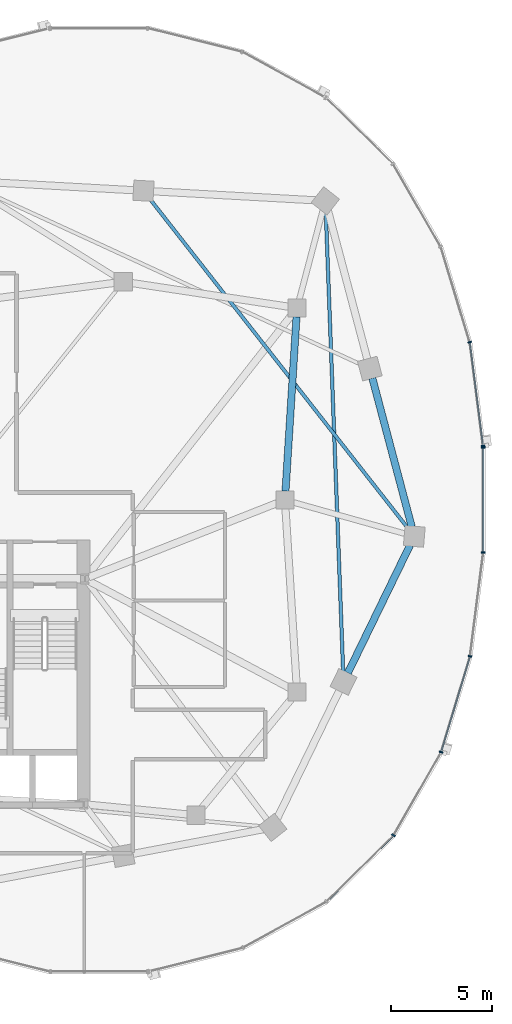
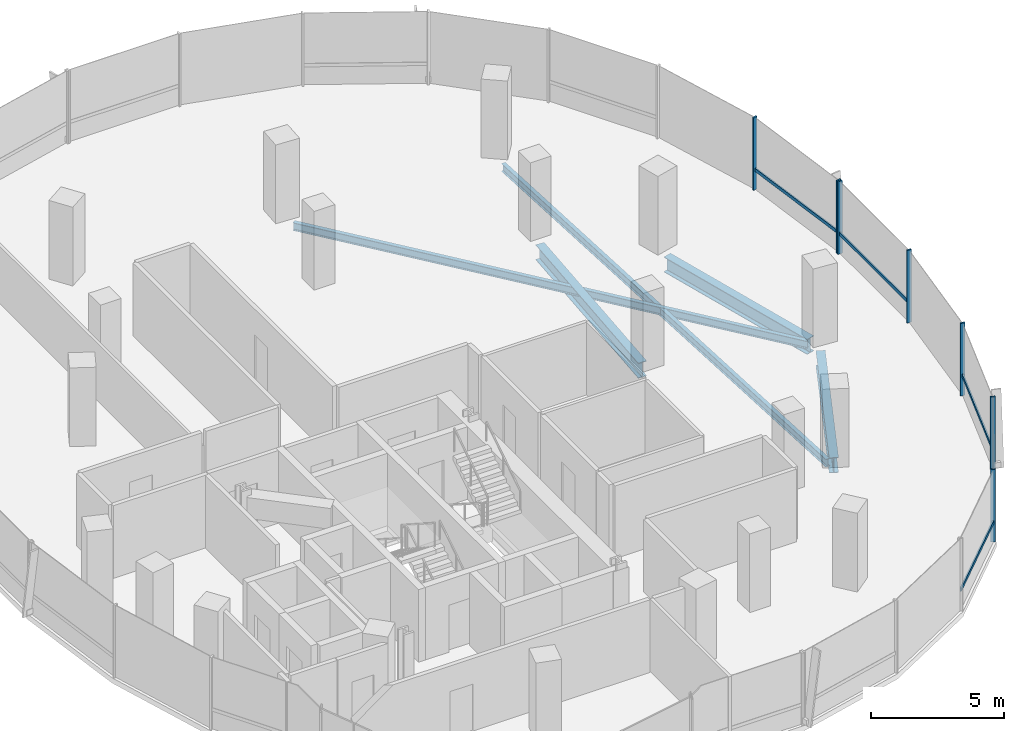
# One storey, part 8 of 21: 11 members, 5 beams, 2 elements without a shape of their own.
"""IFC4 building model written with IfcOpenShell, lengths in metres."""

from ifc_helpers import new_model, si_unit, direction, frame, origin, origin_2d, place, context, subcontext, project, spatial, rectangle, i_section, extrude, material, material_profile, profile_set, type_object, element, aggregate, save


model = new_model("IFC4")

# Units and contexts
model_context = context("Model", 3, precision=1e-05, world=origin(), true_north=direction((0.0, 1.0)))
body_context = subcontext(model_context, "Body", "Model", "MODEL_VIEW")
ifc_project = project(units=[si_unit("LENGTHUNIT", "METRE"), si_unit("AREAUNIT", "SQUARE_METRE"), si_unit("VOLUMEUNIT", "CUBIC_METRE"), si_unit("PLANEANGLEUNIT", "RADIAN"), si_unit("MASSUNIT", "GRAM", prefix="KILO"), si_unit("THERMODYNAMICTEMPERATUREUNIT", "KELVIN"), si_unit("POWERUNIT", "WATT")], contexts=[model_context])

# Site, building, storey
site_placement = place(None, origin())
site = spatial("IfcSite", under=ifc_project, at=site_placement, CompositionType="ELEMENT")
building_placement = place(site_placement, origin())
building = spatial("IfcBuilding", under=site, at=building_placement, Name="Cundina Bronze Exchange", CompositionType="ELEMENT")
storey_placement = place(building_placement, frame((0.0, 0.0, 183.60009765625)))
storey = spatial("IfcBuildingStorey", under=building, at=storey_placement, Name="L48", CompositionType="ELEMENT", Elevation=183.60009765625)

# Beams
ifc_material_1 = material(Name="Steel ASTM A992 Grade 50", Category="steel")
ifc_material_profile_1 = material_profile(ifc_material_1, i_section(OverallWidth=0.172119140625, OverallDepth=0.35791015625, WebThickness=0.0078125, FlangeThickness=0.01318359375, FilletRadius=0.010009765625, at=origin_2d()), Name="W14X38", Category="steel")
ifc_profile_set_1 = profile_set([ifc_material_profile_1], Name="Steel ASTM A992 Grade 50")
beam_type_1 = type_object("IfcBeamType", Name="BM-JST-W14", PredefinedType="JOIST", material=ifc_profile_set_1)
beam_1_placement = place(storey_placement, frame((44.08154296875, -8.51220703125, -0.419189453125), z_axis=(-0.037784933381, 0.999285894431, 0.0), x_axis=(-0.999285894431, -0.037784933381, 0.0)))
element("IfcBeam", 1, at=beam_1_placement, inside=storey, type_object=beam_type_1, Name="L48 Leg E Lobe Floor Joist 07-10", PredefinedType="JOIST", context=body_context, shape_type="SweptSolid", body=[
    extrude(i_section(OverallWidth=0.172119140625, OverallDepth=0.35791015625, WebThickness=0.0078125, FlangeThickness=0.01318359375, FilletRadius=0.010009765625, at=origin_2d()), origin(), (0.0, 0.0, 1.0), 22.8408203125),
])
beam_2_placement = place(storey_placement, frame((47.299072265625, -1.416015625, -0.419189453125), z_axis=(-0.616801484103, 0.787118751656, 0.0), x_axis=(-0.787118751656, -0.616801484103, 0.0)))
element("IfcBeam", 2, at=beam_2_placement, inside=storey, type_object=beam_type_1, Name="L48 Leg E Lobe Floor Joist 08-11", PredefinedType="JOIST", context=body_context, shape_type="SweptSolid", body=[
    extrude(i_section(OverallWidth=0.172119140625, OverallDepth=0.35791015625, WebThickness=0.0078125, FlangeThickness=0.01318359375, FilletRadius=0.010009765625, at=origin_2d()), origin(), (0.0, 0.0, 1.0), 20.7490234375),
])
ifc_material_profile_2 = material_profile(ifc_material_1, i_section(OverallWidth=0.35498046875, OverallDepth=0.695068359375, WebThickness=0.015380859375, FlangeThickness=0.02490234375, FilletRadius=0.01806640625, at=origin_2d()), Name="W27X146", Category="steel")
ifc_profile_set_2 = profile_set([ifc_material_profile_2], Name="Steel ASTM A992 Grade 50")
beam_type_2 = type_object("IfcBeamType", Name="BM-RING-W27", PredefinedType="USERDEFINED", material=ifc_profile_set_2)
beam_3_placement = place(storey_placement, frame((41.2275390625, 0.43701171875, -0.587646484375), z_axis=(0.063046519736, 0.998010589297, 0.0), x_axis=(-0.998010589297, 0.063046519736, 0.0)))
element("IfcBeam", 3, at=beam_3_placement, inside=storey, type_object=beam_type_2, Name="L48 E Inner Structural Ring Girder 04", ObjectType="GIRDER", PredefinedType="USERDEFINED", context=body_context, shape_type="SweptSolid", body=[
    extrude(i_section(OverallWidth=0.35498046875, OverallDepth=0.695068359375, WebThickness=0.015380859375, FlangeThickness=0.02490234375, FilletRadius=0.01806640625, at=origin_2d()), origin(), (0.0, 0.0, 1.0), 8.64306640625),
])
beam_4_placement = place(storey_placement, frame((44.3134765625, -8.56103515625, -0.587646484375), z_axis=(0.437196998825, 0.89936576776, 0.0), x_axis=(-0.89936576776, 0.437196998825, 0.0)))
element("IfcBeam", 4, at=beam_4_placement, inside=storey, type_object=beam_type_2, Name="L48 E Perimeter Ring Girder 07", ObjectType="GIRDER", PredefinedType="USERDEFINED", context=body_context, shape_type="SweptSolid", body=[
    extrude(i_section(OverallWidth=0.35498046875, OverallDepth=0.695068359375, WebThickness=0.015380859375, FlangeThickness=0.02490234375, FilletRadius=0.01806640625, at=origin_2d()), origin(), (0.0, 0.0, 1.0), 7.029541015625),
])
beam_5_placement = place(storey_placement, frame((47.47509765625, -1.328369140625, -0.587646484375), z_axis=(-0.256240814108, 0.966612975904, 0.0), x_axis=(-0.966612975904, -0.256240814108, 0.0)))
element("IfcBeam", 5, at=beam_5_placement, inside=storey, type_object=beam_type_2, Name="L48 E Perimeter Ring Girder 08", ObjectType="GIRDER", PredefinedType="USERDEFINED", context=body_context, shape_type="SweptSolid", body=[
    extrude(i_section(OverallWidth=0.35498046875, OverallDepth=0.695068359375, WebThickness=0.015380859375, FlangeThickness=0.02490234375, FilletRadius=0.01806640625, at=origin_2d()), origin(), (0.0, 0.0, 1.0), 7.61083984375),
])

# Curtain wall, members
ifc_material_2 = material(Name="Anodised Bronze Aluminium 6063-T6", Category="aluminium")
curtain_wall_type = type_object("IfcCurtainWallType", Name="CWS-WST-PIN", PredefinedType="NOTDEFINED", material=ifc_material_2)
curtain_wall_1_placement = place(storey_placement, origin())
curtain_wall_1 = element("IfcCurtainWall", 6, at=curtain_wall_1_placement, inside=storey, type_object=curtain_wall_type, Name="L48 CW-04 Curtain Wall Run CWR-L48-E1", PredefinedType="NOTDEFINED")
ifc_material_profile_3 = material_profile(ifc_material_2, rectangle(XDim=0.070068359375, YDim=0.18994140625, at=origin_2d()), Name="AL70X190", Category="aluminium")
ifc_profile_set_3 = profile_set([ifc_material_profile_3], Name="Anodised Bronze Aluminium 6063-T6")
member_type_1 = type_object("IfcMemberType", Name="CWM-MUL-190", PredefinedType="MULLION", material=ifc_profile_set_3)
member_1_placement = place(storey_placement, frame((51.001708984375, 2.676025390625, 0.0), z_axis=(0.0, 0.0, 1.0), x_axis=(-0.126545236492, 0.991960837494, 0.0)))
member_1 = element("IfcMember", 7, at=member_1_placement, type_object=member_type_1, Name="CW-04 Mullion 1", PredefinedType="MULLION", context=body_context, shape_type="SweptSolid", body=[
    extrude(rectangle(XDim=0.070068359375, YDim=0.18994140625, at=origin_2d()), origin(), (0.0, 0.0, 1.0), 3.31982421875),
])
member_2_placement = place(storey_placement, frame((50.3408203125, 7.80859375, 0.0), z_axis=(0.0, 0.0, 1.0), x_axis=(-0.290034140915, 0.957016299288, 0.0)))
member_2 = element("IfcMember", 8, at=member_2_placement, type_object=member_type_1, Name="CW-04 Mullion 2", PredefinedType="MULLION", context=body_context, shape_type="SweptSolid", body=[
    extrude(rectangle(XDim=0.070068359375, YDim=0.18994140625, at=origin_2d()), origin(), (0.0, 0.0, 1.0), 3.31982421875),
])

curtain_wall_2_placement = place(storey_placement, origin())
curtain_wall_2 = element("IfcCurtainWall", 9, at=curtain_wall_2_placement, inside=storey, type_object=curtain_wall_type, Name="L48 CW-04 Curtain Wall Run CWR-L48-E4", PredefinedType="NOTDEFINED")
member_3_placement = place(storey_placement, frame((46.57080078125, -16.588134765625, 0.0), z_axis=(0.0, 0.0, 1.0), x_axis=(0.498487739754, 0.866896748936, 0.0)))
member_3 = element("IfcMember", 10, at=member_3_placement, type_object=member_type_1, Name="CW-04 Mullion 4", PredefinedType="MULLION", context=body_context, shape_type="SweptSolid", body=[
    extrude(rectangle(XDim=0.070068359375, YDim=0.18994140625, at=origin_2d()), origin(), (0.0, 0.0, 1.0), 3.31982421875),
])
member_4_placement = place(storey_placement, frame((48.92626953125, -12.4755859375, 0.0), z_axis=(0.0, 0.0, 1.0), x_axis=(0.290034140915, 0.957016299288, 0.0)))
member_4 = element("IfcMember", 11, at=member_4_placement, type_object=member_type_1, Name="CW-04 Mullion 5", PredefinedType="MULLION", context=body_context, shape_type="SweptSolid", body=[
    extrude(rectangle(XDim=0.070068359375, YDim=0.18994140625, at=origin_2d()), origin(), (0.0, 0.0, 1.0), 3.31982421875),
])
member_5_placement = place(storey_placement, frame((50.357177734375, -7.731689453125, 0.0), z_axis=(0.0, 0.0, 1.0), x_axis=(0.126545236492, 0.991960837494, 0.0)))
member_5 = element("IfcMember", 12, at=member_5_placement, type_object=member_type_1, Name="CW-04 Mullion 6", PredefinedType="MULLION", context=body_context, shape_type="SweptSolid", body=[
    extrude(rectangle(XDim=0.070068359375, YDim=0.18994140625, at=origin_2d()), origin(), (0.0, 0.0, 1.0), 3.31982421875),
])
member_6_placement = place(storey_placement, frame((51.007080078125, -2.593017578125, 0.0), z_axis=(0.0, 0.0, 1.0), x_axis=(0.0, 1.0, 0.0)))
member_6 = element("IfcMember", 13, at=member_6_placement, type_object=member_type_1, Name="CW-04 Mullion 7", PredefinedType="MULLION", context=body_context, shape_type="SweptSolid", body=[
    extrude(rectangle(XDim=0.070068359375, YDim=0.18994140625, at=origin_2d()), origin(), (0.0, 0.0, 1.0), 3.31982421875),
])
member_7_placement = place(storey_placement, frame((51.007080078125, 2.593017578125, 0.0), z_axis=(0.0, 0.0, 1.0), x_axis=(0.0, 1.0, 0.0)))
member_7 = element("IfcMember", 14, at=member_7_placement, type_object=member_type_1, Name="CW-04 End Mullion", PredefinedType="MULLION", context=body_context, shape_type="SweptSolid", body=[
    extrude(rectangle(XDim=0.070068359375, YDim=0.18994140625, at=origin_2d()), origin(), (0.0, 0.0, 1.0), 3.31982421875),
])

# Member
ifc_material_profile_4 = material_profile(ifc_material_2, rectangle(XDim=0.06494140625, YDim=0.14990234375, at=origin_2d()), Name="AL65X150", Category="aluminium")
ifc_profile_set_4 = profile_set([ifc_material_profile_4], Name="Anodised Bronze Aluminium 6063-T6")
member_type_2 = type_object("IfcMemberType", Name="CWM-TRN-150", PredefinedType="USERDEFINED", material=ifc_profile_set_4)
member_8_placement = place(storey_placement, frame((50.996826171875, 2.71435546875, 0.919921875), z_axis=(-0.12646340362, 0.991971273548, 0.0), x_axis=(-0.991971273548, -0.12646340362, 0.0)))
member_8 = element("IfcMember", 15, at=member_8_placement, type_object=member_type_2, Name="CW-04 Spandrel Transom 1", ObjectType="TRANSOM", PredefinedType="USERDEFINED", context=body_context, shape_type="SweptSolid", body=[
    extrude(rectangle(XDim=0.06494140625, YDim=0.14990234375, at=origin_2d()), origin(), (0.0, 0.0, 1.0), 5.0966796875),
])

aggregate(curtain_wall_1, [member_1, member_8, member_2])

member_9_placement = place(storey_placement, frame((43.28662109375, -19.839599609375, 0.919921875), z_axis=(0.712005023839, 0.702174370102, 0.0), x_axis=(-0.702174370102, 0.712005023839, 0.0)))
member_9 = element("IfcMember", 16, at=member_9_placement, type_object=member_type_2, Name="CW-04 Spandrel Transom 3", ObjectType="TRANSOM", PredefinedType="USERDEFINED", context=body_context, shape_type="SweptSolid", body=[
    extrude(rectangle(XDim=0.06494140625, YDim=0.14990234375, at=origin_2d()), origin(), (0.0, 0.0, 1.0), 4.594482421875),
])

member_10_placement = place(storey_placement, frame((48.937255859375, -12.43896484375, 0.919921875), z_axis=(0.290051855969, 0.957010930371, 0.0), x_axis=(-0.957010930371, 0.290051855969, 0.0)))
member_10 = element("IfcMember", 17, at=member_10_placement, type_object=member_type_2, Name="CW-04 Spandrel Transom 5", ObjectType="TRANSOM", PredefinedType="USERDEFINED", context=body_context, shape_type="SweptSolid", body=[
    extrude(rectangle(XDim=0.06494140625, YDim=0.14990234375, at=origin_2d()), origin(), (0.0, 0.0, 1.0), 4.876953125),
])

member_11_placement = place(storey_placement, frame((51.007080078125, -2.554443359375, 0.919921875), z_axis=(0.0, 1.0, 0.0), x_axis=(-1.0, 0.0, 0.0)))
member_11 = element("IfcMember", 18, at=member_11_placement, type_object=member_type_2, Name="CW-04 Spandrel Transom 7", ObjectType="TRANSOM", PredefinedType="USERDEFINED", context=body_context, shape_type="SweptSolid", body=[
    extrude(rectangle(XDim=0.06494140625, YDim=0.14990234375, at=origin_2d()), origin(), (0.0, 0.0, 1.0), 5.10888671875),
])

aggregate(curtain_wall_2, [member_9, member_3, member_4, member_10, member_5, member_6, member_7, member_11])

save(model, "model.ifc")
